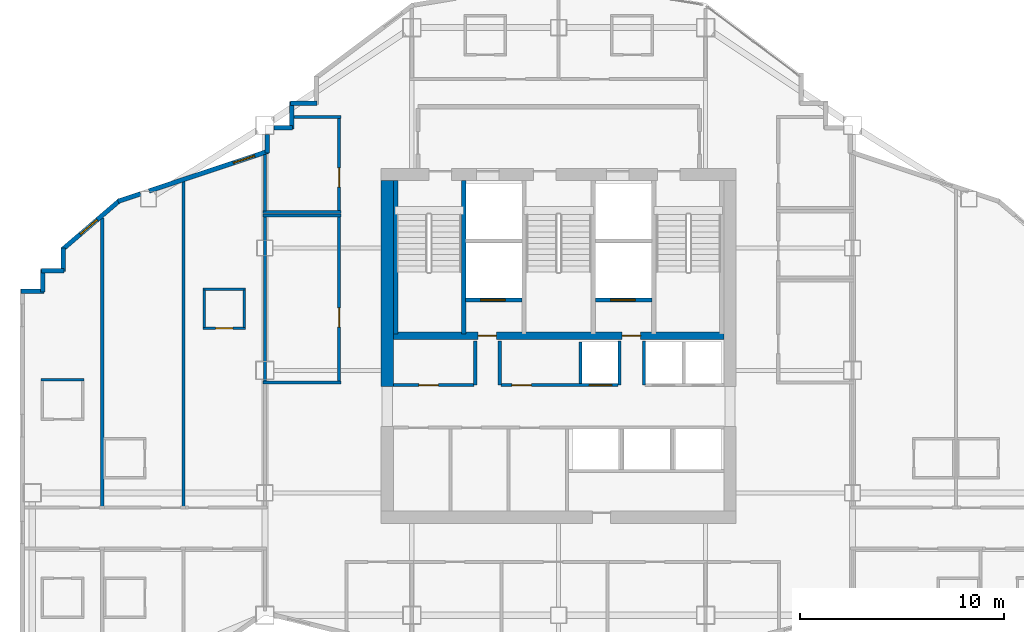
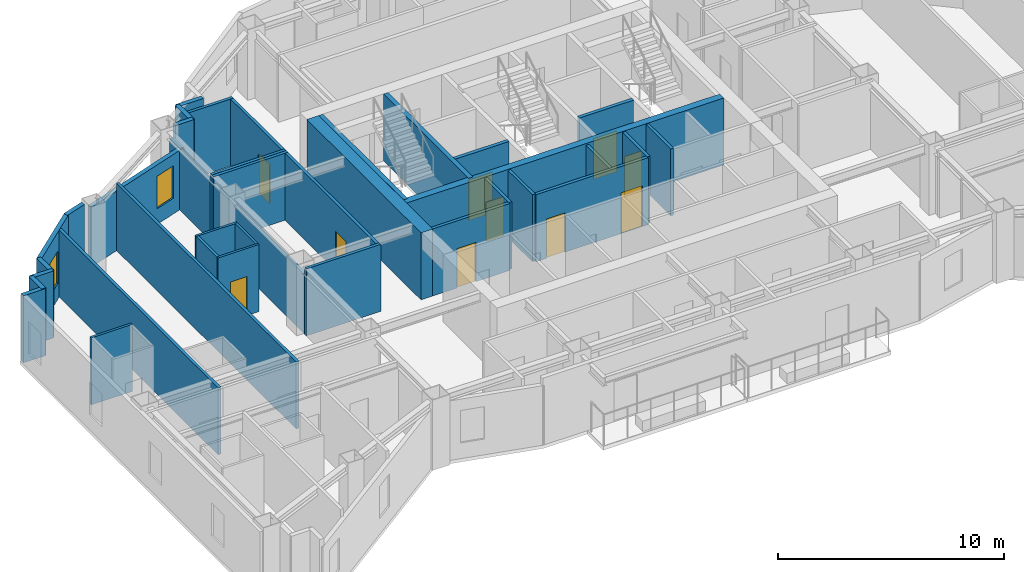
# One storey, part 6 of 11: 39 walls, 10 doors, 2 windows, 12 openings.
"""IFC4 building model written with IfcOpenShell, lengths in metres."""

from ifc_helpers import new_model, si_unit, direction, frame, frame_2d, origin, place, context, subcontext, project, spatial, rectangle, extrude, material, layer, layer_set, type_object, element, fill, save


model = new_model("IFC4")

# Units and contexts
model_context = context("Model", 3, precision=1e-05, world=origin(), true_north=direction((0.0, 1.0)))
body_context = subcontext(model_context, "Body", "Model", "MODEL_VIEW")
ifc_project = project(units=[si_unit("LENGTHUNIT", "METRE"), si_unit("AREAUNIT", "SQUARE_METRE"), si_unit("VOLUMEUNIT", "CUBIC_METRE"), si_unit("PLANEANGLEUNIT", "RADIAN"), si_unit("MASSUNIT", "GRAM", prefix="KILO")], contexts=[model_context])

# Site, building, storey
site_placement = place(None, origin())
site = spatial("IfcSite", under=ifc_project, at=site_placement, CompositionType="ELEMENT")
building_placement = place(site_placement, origin())
building = spatial("IfcBuilding", under=site, at=building_placement, Name="Haolan Belvedere Tower", CompositionType="ELEMENT")
storey_placement = place(building_placement, frame((0.0, 0.0, 215.39990234375)))
storey = spatial("IfcBuildingStorey", under=building, at=storey_placement, Name="L54", CompositionType="ELEMENT", Elevation=215.39990234375)

# Walls
ifc_material_1 = material(Name="Concrete C60/75", Category="concrete")
ifc_layer_1 = layer(ifc_material_1, 0.60009765625, Name="Concrete C60/75")
ifc_layer_set_1 = layer_set([ifc_layer_1], Name="Concrete C60/75")
wall_type_1 = type_object("IfcWallType", Name="WL-CORE-600", PredefinedType="SHEAR", material=ifc_layer_set_1)
wall_1_placement = place(storey_placement, frame((30.0, 32.800048828125, 0.0), z_axis=(0.0, 0.0, 1.0), x_axis=(0.0, 1.0, 0.0)))
element("IfcWall", 1, at=wall_1_placement, inside=storey, type_object=wall_type_1, Name="L54 central core shear wall WN", PredefinedType="SHEAR", context=body_context, shape_type="SweptSolid", body=[
    extrude(rectangle(XDim=10.099853515625, YDim=0.60009765625, at=frame_2d((5.0498046875, 0.0))), origin(), (0.0, 0.0, 1.0), 3.6201171875),
])
ifc_material_2 = material(Name="Precast concrete C40/50", Category="concrete")
ifc_layer_2 = layer(ifc_material_2, 0.219970703125, Name="Precast concrete C40/50")
ifc_layer_set_2 = layer_set([ifc_layer_2], Name="Precast concrete C40/50")
wall_type_2 = type_object("IfcWallType", Name="WL-EXT-220", PredefinedType="SOLIDWALL", material=ifc_layer_set_2)
for number, where, z_axis, x_axis, name in (
    (2, (26.56494140625, 46.68994140625, 0.0), (0.0, 0.0, 1.0), (-1.0, 0.0, 0.0), "L54 pale-metal exterior spandrel wall 25.1"),
    (3, (25.31005859375, 46.7451171875, 0.0), (0.0, 0.0, 1.0), (0.0, -1.0, 0.0), "L54 pale-metal exterior spandrel wall 26.1"),
):
    element("IfcWall", number, at=place(storey_placement, frame(where, z_axis=z_axis, x_axis=x_axis)), inside=storey, type_object=wall_type_2, Name=name, PredefinedType="SOLIDWALL", context=body_context, shape_type="SweptSolid", body=[
        extrude(rectangle(XDim=1.31005859375, YDim=0.219970703125, at=frame_2d((0.655029296875, 0.0))), origin(), (0.0, 0.0, 1.0), 3.6201171875),
    ])
wall_2_placement = place(storey_placement, frame((25.364990234375, 45.489990234375, 0.0), z_axis=(0.0, 0.0, 1.0), x_axis=(-1.0, 0.0, 0.0)))
element("IfcWall", 4, at=wall_2_placement, inside=storey, type_object=wall_type_2, Name="L54 pale-metal exterior spandrel wall 27.1", PredefinedType="SOLIDWALL", context=body_context, shape_type="SweptSolid", body=[
    extrude(rectangle(XDim=0.923095703125, YDim=0.219970703125, at=frame_2d((0.46142578125, 0.0))), origin(), (0.0, 0.0, 1.0), 3.6201171875),
])
wall_3_placement = place(storey_placement, frame((24.110107421875, 45.157958984375, 0.0), z_axis=(0.0, 0.0, 1.0), x_axis=(0.0, -1.0, 0.0)))
element("IfcWall", 5, at=wall_3_placement, inside=storey, type_object=wall_type_2, Name="L54 pale-metal exterior spandrel wall 28.1", PredefinedType="SOLIDWALL", context=body_context, shape_type="SweptSolid", body=[
    extrude(rectangle(XDim=0.892333984375, YDim=0.219970703125, at=frame_2d((0.4462890625, 0.0))), origin(), (0.0, 0.0, 1.0), 3.215087890625),
])

# Wall, opening, window
wall_4_placement = place(storey_placement, frame((24.162109375, 44.338134765625, 0.0), z_axis=(0.0, 0.0, 1.0), x_axis=(-0.948687265055, -0.316215864755, 0.0)))
wall_4 = element("IfcWall", 6, at=wall_4_placement, inside=storey, type_object=wall_type_2, Name="L54 pale-metal exterior spandrel wall 29.1", PredefinedType="SOLIDWALL", context=body_context, shape_type="SweptSolid", body=[
    extrude(rectangle(XDim=6.154052734375, YDim=0.219970703125, at=frame_2d((3.0771484375, 0.0))), origin(), (0.0, 0.0, 1.0), 3.215087890625),
])
opening_1_placement = place(wall_4_placement, frame((0.699951171875, 0.0, 0.85009765625)))
opening_1 = element("IfcOpeningElement", 7, at=opening_1_placement, cuts=wall_4, Name="Opening W-03", PredefinedType="OPENING", context=body_context, shape_type="SweptSolid", body=[
    extrude(rectangle(XDim=1.10009765625, YDim=1.75, at=frame_2d((0.550048828125, 0.875))), frame((0.0, 0.119873046875, 0.0), z_axis=(0.0, -1.0, 0.0), x_axis=(1.0, 0.0, 0.0)), (0.0, 0.0, 1.0), 0.239990234375),
])
ifc_material_3 = material(Name="Anodised aluminium 6063-T6 and Low-E glass", Category="aluminium")
window_type = type_object("IfcWindowType", Name="WN-DECO-Z3", PartitioningType="SINGLE_PANEL", PredefinedType="WINDOW", material=ifc_material_3)
window_1_placement = place(opening_1_placement, origin())
window_1 = element("IfcWindow", 8, at=window_1_placement, inside=storey, type_object=window_type, Name="L54 Art Deco chevron window 1", OverallHeight=1.75, OverallWidth=1.10009765625, PartitioningType="SINGLE_PANEL", PredefinedType="WINDOW", context=body_context, shape_type="SweptSolid", body=[
    extrude(rectangle(XDim=1.10009765625, YDim=1.75, at=frame_2d((0.550048828125, 0.875))), frame((0.0, 0.030029296875, 0.0), z_axis=(0.0, -1.0, 0.0), x_axis=(1.0, 0.0, 0.0)), (0.0, 0.0, 1.0), 0.06005859375),
])
fill(opening_1, window_1)

# Wall
wall_5_placement = place(storey_placement, frame((17.907958984375, 42.25341796875, 0.0), z_axis=(0.0, 0.0, 1.0), x_axis=(-0.948662335685, -0.316290646166, 0.0)))
element("IfcWall", 9, at=wall_5_placement, inside=storey, type_object=wall_type_2, Name="L54 pale-metal exterior spandrel wall 29.2", PredefinedType="SOLIDWALL", context=body_context, shape_type="SweptSolid", body=[
    extrude(rectangle(XDim=1.164794921875, YDim=0.219970703125, at=frame_2d((0.58251953125, 0.0))), origin(), (0.0, 0.0, 1.0), 3.6201171875),
])

# Wall, opening, window
wall_6_placement = place(storey_placement, frame((16.89697265625, 41.938232421875, 0.0), z_axis=(0.0, 0.0, 1.0), x_axis=(-0.759279729622, -0.650764390686, 0.0)))
wall_6 = element("IfcWall", 10, at=wall_6_placement, inside=storey, type_object=wall_type_2, Name="L54 pale-metal exterior spandrel wall 30.1", PredefinedType="SOLIDWALL", context=body_context, shape_type="SweptSolid", body=[
    extrude(rectangle(XDim=3.725830078125, YDim=0.219970703125, at=frame_2d((1.86279296875, 0.0))), origin(), (0.0, 0.0, 1.0), 3.6201171875),
])
opening_2_placement = place(wall_6_placement, frame((1.46435546875, 0.0, 0.85009765625)))
opening_2 = element("IfcOpeningElement", 11, at=opening_2_placement, cuts=wall_6, Name="Opening W-03", PredefinedType="OPENING", context=body_context, shape_type="SweptSolid", body=[
    extrude(rectangle(XDim=1.10009765625, YDim=1.75, at=frame_2d((0.550048828125, 0.875))), frame((0.0, 0.119873046875, 0.0), z_axis=(0.0, -1.0, 0.0), x_axis=(1.0, 0.0, 0.0)), (0.0, 0.0, 1.0), 0.239990234375),
])
window_2_placement = place(opening_2_placement, origin())
window_2 = element("IfcWindow", 12, at=window_2_placement, inside=storey, type_object=window_type, Name="L54 Art Deco chevron window 1", OverallHeight=1.75, OverallWidth=1.10009765625, PartitioningType="SINGLE_PANEL", PredefinedType="WINDOW", context=body_context, shape_type="SweptSolid", body=[
    extrude(rectangle(XDim=1.10009765625, YDim=1.75, at=frame_2d((0.550048828125, 0.875))), frame((0.0, 0.030029296875, 0.0), z_axis=(0.0, -1.0, 0.0), x_axis=(1.0, 0.0, 0.0)), (0.0, 0.0, 1.0), 0.06005859375),
])
fill(opening_2, window_2)

# Walls
wall_7_placement = place(storey_placement, frame((14.110107421875, 39.6044921875, 0.0), z_axis=(0.0, 0.0, 1.0), x_axis=(0.0, -1.0, 0.0)))
element("IfcWall", 13, at=wall_7_placement, inside=storey, type_object=wall_type_2, Name="L54 pale-metal exterior spandrel wall 31.1", PredefinedType="SOLIDWALL", context=body_context, shape_type="SweptSolid", body=[
    extrude(rectangle(XDim=1.16943359375, YDim=0.219970703125, at=frame_2d((0.584716796875, 0.0))), origin(), (0.0, 0.0, 1.0), 3.6201171875),
])
wall_8_placement = place(storey_placement, frame((14.1650390625, 38.489990234375, 0.0), z_axis=(0.0, 0.0, 1.0), x_axis=(-1.0, 0.0, 0.0)))
element("IfcWall", 14, at=wall_8_placement, inside=storey, type_object=wall_type_2, Name="L54 pale-metal exterior spandrel wall 32.1", PredefinedType="SOLIDWALL", context=body_context, shape_type="SweptSolid", body=[
    extrude(rectangle(XDim=1.110107421875, YDim=0.219970703125, at=frame_2d((0.55517578125, 0.0))), origin(), (0.0, 0.0, 1.0), 3.6201171875),
])
wall_9_placement = place(storey_placement, frame((13.110107421875, 38.544921875, 0.0), z_axis=(0.0, 0.0, 1.0), x_axis=(0.0, -1.0, 0.0)))
element("IfcWall", 15, at=wall_9_placement, inside=storey, type_object=wall_type_2, Name="L54 pale-metal exterior spandrel wall 33.1", PredefinedType="SOLIDWALL", context=body_context, shape_type="SweptSolid", body=[
    extrude(rectangle(XDim=1.10986328125, YDim=0.219970703125, at=frame_2d((0.554931640625, 0.0))), origin(), (0.0, 0.0, 1.0), 3.6201171875),
])
wall_10_placement = place(storey_placement, frame((13.1650390625, 37.489990234375, 0.0), z_axis=(0.0, 0.0, 1.0), x_axis=(-1.0, 0.0, 0.0)))
element("IfcWall", 16, at=wall_10_placement, inside=storey, type_object=wall_type_2, Name="L54 pale-metal exterior spandrel wall 34.1", PredefinedType="SOLIDWALL", context=body_context, shape_type="SweptSolid", body=[
    extrude(rectangle(XDim=1.110107421875, YDim=0.219970703125, at=frame_2d((0.55517578125, 0.0))), origin(), (0.0, 0.0, 1.0), 3.6201171875),
])
ifc_material_4 = material(Name="Double gypsum acoustic stud partition", Category="masonry")
ifc_layer_3 = layer(ifc_material_4, 0.14990234375, Name="Double gypsum acoustic stud partition")
ifc_layer_set_3 = layer_set([ifc_layer_3], Name="Double gypsum acoustic stud partition")
wall_type_3 = type_object("IfcWallType", Name="WL-PART-150", PredefinedType="PARTITIONING", material=ifc_layer_set_3)
for number, where, z_axis, x_axis, name in (
    (17, (23.919921875, 41.199951171875, 0.0), (0.0, 0.0, 1.0), (1.0, 0.0, 0.0), "L54 interior partition IW-L54-SAL-N"),
    (18, (23.919921875, 33.0, 0.0), (0.0, 0.0, 1.0), (1.0, 0.0, 0.0), "L54 interior partition IW-L54-SAL-S"),
):
    element("IfcWall", number, at=place(storey_placement, frame(where, z_axis=z_axis, x_axis=x_axis)), inside=storey, type_object=wall_type_3, Name=name, PredefinedType="PARTITIONING", context=body_context, shape_type="SweptSolid", body=[
        extrude(rectangle(XDim=3.800048828125, YDim=0.14990234375, at=frame_2d((1.89990234375, 0.0))), origin(), (0.0, 0.0, 1.0), 3.6201171875),
    ])
wall_11_placement = place(storey_placement, frame((24.0, 33.06005859375, 0.0), z_axis=(0.0, 0.0, 1.0), x_axis=(0.0, 1.0, 0.0)))
element("IfcWall", 19, at=wall_11_placement, inside=storey, type_object=wall_type_3, Name="L54 interior partition IW-L54-SAL-W", PredefinedType="PARTITIONING", context=body_context, shape_type="SweptSolid", body=[
    extrude(rectangle(XDim=8.079833984375, YDim=0.14990234375, at=frame_2d((4.0400390625, 0.0))), origin(), (0.0, 0.0, 1.0), 3.215087890625),
])

# Wall, opening, door
wall_12_placement = place(storey_placement, frame((27.639892578125, 33.06005859375, 0.0), z_axis=(0.0, 0.0, 1.0), x_axis=(0.0, 1.0, 0.0)))
wall_12 = element("IfcWall", 20, at=wall_12_placement, inside=storey, type_object=wall_type_3, Name="L54 interior partition IW-L54-SAL-E", PredefinedType="PARTITIONING", context=body_context, shape_type="SweptSolid", body=[
    extrude(rectangle(XDim=8.079833984375, YDim=0.14990234375, at=frame_2d((4.0400390625, 0.0))), origin(), (0.0, 0.0, 1.0), 3.6201171875),
])
opening_3_placement = place(wall_12_placement, frame((3.60986328125, 0.0, 0.0), z_axis=(0.0, 0.0, 1.0), x_axis=(-1.0, 0.0, 0.0)))
opening_3 = element("IfcOpeningElement", 21, at=opening_3_placement, cuts=wall_12, Name="Opening ID-03", PredefinedType="OPENING", context=body_context, shape_type="SweptSolid", body=[
    extrude(rectangle(XDim=0.949951171875, YDim=2.1201171875, at=frame_2d((0.47509765625, 1.06005859375))), frame((0.0, 0.0849609375, 0.0), z_axis=(0.0, -1.0, 0.0), x_axis=(1.0, 0.0, 0.0)), (0.0, 0.0, 1.0), 0.169921875),
])
ifc_material_5 = material(Name="Painted solid-core timber", Category="wood")
door_type_1 = type_object("IfcDoorType", Name="DR-INT-950", OperationType="NOTDEFINED", PredefinedType="DOOR", material=ifc_material_5)
door_1_placement = place(opening_3_placement, origin())
door_1 = element("IfcDoor", 22, at=door_1_placement, inside=storey, type_object=door_type_1, Name="L54 door ID-L54-SAL", OperationType="SINGLE_SWING_LEFT", OverallHeight=2.1201171875, OverallWidth=0.949951171875, PredefinedType="DOOR", context=body_context, shape_type="SweptSolid", body=[
    extrude(rectangle(XDim=0.949951171875, YDim=2.1201171875, at=frame_2d((0.47509765625, 1.06005859375))), frame((0.0, 0.02490234375, 0.0), z_axis=(0.0, -1.0, 0.0), x_axis=(1.0, 0.0, 0.0)), (0.0, 0.0, 1.0), 0.050048828125),
])
fill(opening_3, door_1)

# Walls
wall_13_placement = place(storey_placement, frame((25.412109375, 46.02001953125, 0.0), z_axis=(0.0, 0.0, 1.0), x_axis=(1.0, 0.0, 0.0)))
element("IfcWall", 23, at=wall_13_placement, inside=storey, type_object=wall_type_3, Name="L54 interior partition IW-L54-HSK-N", PredefinedType="PARTITIONING", context=body_context, shape_type="SweptSolid", body=[
    extrude(rectangle(XDim=2.307861328125, YDim=0.14990234375, at=frame_2d((1.15380859375, 0.0))), origin(), (0.0, 0.0, 1.0), 3.6201171875),
])
wall_14_placement = place(storey_placement, frame((23.919921875, 41.360107421875, 0.0), z_axis=(0.0, 0.0, 1.0), x_axis=(1.0, 0.0, 0.0)))
element("IfcWall", 24, at=wall_14_placement, inside=storey, type_object=wall_type_3, Name="L54 interior partition IW-L54-HSK-S", PredefinedType="PARTITIONING", context=body_context, shape_type="SweptSolid", body=[
    extrude(rectangle(XDim=3.800048828125, YDim=0.14990234375, at=frame_2d((1.89990234375, 0.0))), origin(), (0.0, 0.0, 1.0), 3.6201171875),
])
wall_15_placement = place(storey_placement, frame((24.0, 41.419921875, 0.0), z_axis=(0.0, 0.0, 1.0), x_axis=(0.0, 1.0, 0.0)))
element("IfcWall", 25, at=wall_15_placement, inside=storey, type_object=wall_type_3, Name="L54 interior partition IW-L54-HSK-W", PredefinedType="PARTITIONING", context=body_context, shape_type="SweptSolid", body=[
    extrude(rectangle(XDim=2.756591796875, YDim=0.14990234375, at=frame_2d((1.37841796875, 0.0))), origin(), (0.0, 0.0, 1.0), 3.215087890625),
])

# Wall, opening, door
wall_16_placement = place(storey_placement, frame((27.639892578125, 41.419921875, 0.0), z_axis=(0.0, 0.0, 1.0), x_axis=(0.0, 1.0, 0.0)))
wall_16 = element("IfcWall", 26, at=wall_16_placement, inside=storey, type_object=wall_type_3, Name="L54 interior partition IW-L54-HSK-E", PredefinedType="PARTITIONING", context=body_context, shape_type="SweptSolid", body=[
    extrude(rectangle(XDim=4.5400390625, YDim=0.14990234375, at=frame_2d((2.27001953125, 0.0))), origin(), (0.0, 0.0, 1.0), 3.6201171875),
])
opening_4_placement = place(wall_16_placement, frame((2.10986328125, 0.0, 0.0), z_axis=(0.0, 0.0, 1.0), x_axis=(-1.0, 0.0, 0.0)))
opening_4 = element("IfcOpeningElement", 27, at=opening_4_placement, cuts=wall_16, Name="Opening ID-03", PredefinedType="OPENING", context=body_context, shape_type="SweptSolid", body=[
    extrude(rectangle(XDim=0.949951171875, YDim=2.1201171875, at=frame_2d((0.47509765625, 1.06005859375))), frame((0.0, 0.0849609375, 0.0), z_axis=(0.0, -1.0, 0.0), x_axis=(1.0, 0.0, 0.0)), (0.0, 0.0, 1.0), 0.169921875),
])
door_2_placement = place(opening_4_placement, origin())
door_2 = element("IfcDoor", 28, at=door_2_placement, inside=storey, type_object=door_type_1, Name="L54 door ID-L54-HSK", OperationType="SINGLE_SWING_RIGHT", OverallHeight=2.1201171875, OverallWidth=0.949951171875, PredefinedType="DOOR", context=body_context, shape_type="SweptSolid", body=[
    extrude(rectangle(XDim=0.949951171875, YDim=2.1201171875, at=frame_2d((0.47509765625, 1.06005859375))), frame((0.0, 0.02490234375, 0.0), z_axis=(0.0, -1.0, 0.0), x_axis=(1.0, 0.0, 0.0)), (0.0, 0.0, 1.0), 0.050048828125),
])
fill(opening_4, door_2)

# Walls
wall_17_placement = place(storey_placement, frame((16.030029296875, 26.93994140625, 0.0), z_axis=(0.0, 0.0, 1.0), x_axis=(0.0, 1.0, 0.0)))
element("IfcWall", 29, at=wall_17_placement, inside=storey, type_object=wall_type_3, Name="L54 interior partition IW-L54-T2N1-E", PredefinedType="PARTITIONING", context=body_context, shape_type="SweptSolid", body=[
    extrude(rectangle(XDim=14.120849609375, YDim=0.14990234375, at=frame_2d((7.060546875, 0.0))), origin(), (0.0, 0.0, 1.0), 3.6201171875),
])
wall_18_placement = place(storey_placement, frame((20.02001953125, 26.93994140625, 0.0), z_axis=(0.0, 0.0, 1.0), x_axis=(0.0, 1.0, 0.0)))
element("IfcWall", 30, at=wall_18_placement, inside=storey, type_object=wall_type_3, Name="L54 interior partition IW-L54-T2N2-E", PredefinedType="PARTITIONING", context=body_context, shape_type="SweptSolid", body=[
    extrude(rectangle(XDim=15.909912109375, YDim=0.14990234375, at=frame_2d((7.955078125, 0.0))), origin(), (0.0, 0.0, 1.0), 3.6201171875),
])
ifc_material_6 = material(Name="Gypsum fire shaftwall assembly", Category="masonry")
ifc_layer_4 = layer(ifc_material_6, 0.1650390625, Name="Gypsum fire shaftwall assembly")
ifc_layer_set_4 = layer_set([ifc_layer_4], Name="Gypsum fire shaftwall assembly")
wall_type_4 = type_object("IfcWallType", Name="WL-SHAFT-160", PredefinedType="SOLIDWALL", material=ifc_layer_set_4)
for number, where, z_axis, x_axis, name in (
    (31, (34.31005859375, 32.8798828125, 0.0), (0.0, 0.0, 1.0), (0.0, 1.0, 0.0), "L54 interior partition IW-L54-SVP-W-SV1"),
    (32, (35.510009765625, 32.8798828125, 0.0), (0.0, 0.0, 1.0), (0.0, 1.0, 0.0), "L54 interior partition IW-L54-SVP-E-SV1"),
    (33, (41.3701171875, 32.8798828125, 0.0), (0.0, 0.0, 1.0), (0.0, 1.0, 0.0), "L54 interior partition IW-L54-SVP-W-SV2"),
    (34, (42.570068359375, 32.8798828125, 0.0), (0.0, 0.0, 1.0), (0.0, 1.0, 0.0), "L54 interior partition IW-L54-SVP-E-SV2"),
):
    element("IfcWall", number, at=place(storey_placement, frame(where, z_axis=z_axis, x_axis=x_axis)), inside=storey, type_object=wall_type_4, Name=name, PredefinedType="SOLIDWALL", context=body_context, shape_type="SweptSolid", body=[
        extrude(rectangle(XDim=2.170166015625, YDim=0.14990234375, at=frame_2d((1.0849609375, 0.0))), origin(), (0.0, 0.0, 1.0), 3.6201171875),
    ])

# Wall, opening, door
wall_19_placement = place(storey_placement, frame((30.300048828125, 32.8798828125, 0.0), z_axis=(0.0, 0.0, 1.0), x_axis=(1.0, 0.0, 0.0)))
wall_19 = element("IfcWall", 35, at=wall_19_placement, inside=storey, type_object=wall_type_4, Name="L54 interior partition IW-L54-ROW-PN1", PredefinedType="SOLIDWALL", context=body_context, shape_type="SweptSolid", body=[
    extrude(rectangle(XDim=3.949951171875, YDim=0.159912109375, at=frame_2d((1.97509765625, 0.0))), origin(), (0.0, 0.0, 1.0), 3.6201171875),
])
opening_5_placement = place(wall_19_placement, frame((2.199951171875, 0.0, 0.0), z_axis=(0.0, 0.0, 1.0), x_axis=(-1.0, 0.0, 0.0)))
opening_5 = element("IfcOpeningElement", 36, at=opening_5_placement, cuts=wall_19, Name="Opening ID-03", PredefinedType="OPENING", context=body_context, shape_type="SweptSolid", body=[
    extrude(rectangle(XDim=0.949951171875, YDim=2.1201171875, at=frame_2d((0.47509765625, 1.06005859375))), frame((0.0, 0.08984375, 0.0), z_axis=(0.0, -1.0, 0.0), x_axis=(1.0, 0.0, 0.0)), (0.0, 0.0, 1.0), 0.179931640625),
])
door_3_placement = place(opening_5_placement, origin())
door_3 = element("IfcDoor", 37, at=door_3_placement, inside=storey, type_object=door_type_1, Name="L54 door ID-L54-CD-RPLW", OperationType="SINGLE_SWING_LEFT", OverallHeight=2.1201171875, OverallWidth=0.949951171875, PredefinedType="DOOR", context=body_context, shape_type="SweptSolid", body=[
    extrude(rectangle(XDim=0.949951171875, YDim=2.1201171875, at=frame_2d((0.47509765625, 1.06005859375))), frame((0.0, 0.02490234375, 0.0), z_axis=(0.0, -1.0, 0.0), x_axis=(1.0, 0.0, 0.0)), (0.0, 0.0, 1.0), 0.050048828125),
])
fill(opening_5, door_3)

# Wall, openings, doors
wall_20_placement = place(storey_placement, frame((35.570068359375, 32.8798828125, 0.0), z_axis=(0.0, 0.0, 1.0), x_axis=(1.0, 0.0, 0.0)))
wall_20 = element("IfcWall", 38, at=wall_20_placement, inside=storey, type_object=wall_type_4, Name="L54 interior partition IW-L54-ROW-PN2", PredefinedType="SOLIDWALL", context=body_context, shape_type="SweptSolid", body=[
    extrude(rectangle(XDim=5.739990234375, YDim=0.159912109375, at=frame_2d((2.8701171875, 0.0))), origin(), (0.0, 0.0, 1.0), 3.6201171875),
])
opening_6_placement = place(wall_20_placement, frame((1.489990234375, 0.0, 0.0), z_axis=(0.0, 0.0, 1.0), x_axis=(-1.0, 0.0, 0.0)))
opening_6 = element("IfcOpeningElement", 39, at=opening_6_placement, cuts=wall_20, Name="Opening ID-03", PredefinedType="OPENING", context=body_context, shape_type="SweptSolid", body=[
    extrude(rectangle(XDim=0.949951171875, YDim=2.1201171875, at=frame_2d((0.47509765625, 1.06005859375))), frame((0.0, 0.08984375, 0.0), z_axis=(0.0, -1.0, 0.0), x_axis=(1.0, 0.0, 0.0)), (0.0, 0.0, 1.0), 0.179931640625),
])
opening_7_placement = place(wall_20_placement, frame((5.43017578125, 0.0, 0.0), z_axis=(0.0, 0.0, 1.0), x_axis=(-1.0, 0.0, 0.0)))
opening_7 = element("IfcOpeningElement", 40, at=opening_7_placement, cuts=wall_20, Name="Opening LD-01", PredefinedType="OPENING", context=body_context, shape_type="SweptSolid", body=[
    extrude(rectangle(XDim=1.10009765625, YDim=2.199951171875, at=frame_2d((0.550048828125, 1.10009765625))), frame((0.0, 0.08984375, 0.0), z_axis=(0.0, -1.0, 0.0), x_axis=(1.0, 0.0, 0.0)), (0.0, 0.0, 1.0), 0.179931640625),
])
door_4_placement = place(opening_6_placement, origin())
door_4 = element("IfcDoor", 41, at=door_4_placement, inside=storey, type_object=door_type_1, Name="L54 door ID-L54-CD-RPLE", OperationType="SINGLE_SWING_RIGHT", OverallHeight=2.1201171875, OverallWidth=0.949951171875, PredefinedType="DOOR", context=body_context, shape_type="SweptSolid", body=[
    extrude(rectangle(XDim=0.949951171875, YDim=2.1201171875, at=frame_2d((0.47509765625, 1.06005859375))), frame((0.0, 0.02490234375, 0.0), z_axis=(0.0, -1.0, 0.0), x_axis=(1.0, 0.0, 0.0)), (0.0, 0.0, 1.0), 0.050048828125),
])
fill(opening_6, door_4)
ifc_material_7 = material(Name="Brushed champagne stainless steel 316L", Category="steel")
door_type_2 = type_object("IfcDoorType", Name="DR-LIFT-1100", OperationType="SLIDING_TO_LEFT", PredefinedType="DOOR", material=ifc_material_7)
door_5_placement = place(opening_7_placement, origin())
door_5 = element("IfcDoor", 42, at=door_5_placement, inside=storey, type_object=door_type_2, Name="L54 door ID-L54-LD-PH1", OperationType="SLIDING_TO_RIGHT", OverallHeight=2.199951171875, OverallWidth=1.10009765625, PredefinedType="DOOR", context=body_context, shape_type="SweptSolid", body=[
    extrude(rectangle(XDim=1.10009765625, YDim=2.199951171875, at=frame_2d((0.550048828125, 1.10009765625))), frame((0.0, 0.02490234375, 0.0), z_axis=(0.0, -1.0, 0.0), x_axis=(1.0, 0.0, 0.0)), (0.0, 0.0, 1.0), 0.050048828125),
])
fill(opening_7, door_5)

# Wall
wall_21_placement = place(storey_placement, frame((39.469970703125, 32.949951171875, 0.0), z_axis=(0.0, 0.0, 1.0), x_axis=(0.0, 1.0, 0.0)))
element("IfcWall", 43, at=wall_21_placement, inside=storey, type_object=wall_type_4, Name="L54 interior partition IW-L54-DIV-PL4R", PredefinedType="SOLIDWALL", context=body_context, shape_type="SweptSolid", body=[
    extrude(rectangle(XDim=2.050048828125, YDim=0.14990234375, at=frame_2d((1.02490234375, 0.0))), origin(), (0.0, 0.0, 1.0), 3.6201171875),
])

# Wall, opening, door
ifc_layer_5 = layer(ifc_material_2, 0.179931640625, Name="Precast concrete C40/50")
ifc_layer_set_5 = layer_set([ifc_layer_5], Name="Precast concrete C40/50")
wall_type_5 = type_object("IfcWallType", Name="WL-SHAFT-180", PredefinedType="SOLIDWALL", material=ifc_layer_set_5)
wall_22_placement = place(storey_placement, frame((33.8349609375, 37.050048828125, 0.0), z_axis=(0.0, 0.0, 1.0), x_axis=(1.0, 0.0, 0.0)))
wall_22 = element("IfcWall", 44, at=wall_22_placement, inside=storey, type_object=wall_type_5, Name="L54 interior partition IW-L54-SV1-S", PredefinedType="SOLIDWALL", context=body_context, shape_type="SweptSolid", body=[
    extrude(rectangle(XDim=2.77001953125, YDim=0.179931640625, at=frame_2d((1.385009765625, 0.0))), origin(), (0.0, 0.0, 1.0), 3.6201171875),
])
opening_8_placement = place(wall_22_placement, frame((1.945068359375, 0.0, 0.0), z_axis=(0.0, 0.0, 1.0), x_axis=(-1.0, 0.0, 0.0)))
opening_8 = element("IfcOpeningElement", 45, at=opening_8_placement, cuts=wall_22, Name="Opening LD-02", PredefinedType="OPENING", context=body_context, shape_type="SweptSolid", body=[
    extrude(rectangle(XDim=1.199951171875, YDim=2.199951171875, at=frame_2d((0.60009765625, 1.10009765625))), frame((0.0, 0.099853515625, 0.0), z_axis=(0.0, -1.0, 0.0), x_axis=(1.0, 0.0, 0.0)), (0.0, 0.0, 1.0), 0.199951171875),
])
door_type_3 = type_object("IfcDoorType", Name="DR-LIFT-1200", OperationType="SLIDING_TO_RIGHT", PredefinedType="DOOR", material=ifc_material_7)
door_6_placement = place(opening_8_placement, origin())
door_6 = element("IfcDoor", 46, at=door_6_placement, inside=storey, type_object=door_type_3, Name="L54 door ID-L54-LD-SV1", OperationType="SLIDING_TO_RIGHT", OverallHeight=2.199951171875, OverallWidth=1.199951171875, PredefinedType="DOOR", context=body_context, shape_type="SweptSolid", body=[
    extrude(rectangle(XDim=1.199951171875, YDim=2.199951171875, at=frame_2d((0.60009765625, 1.10009765625))), frame((0.0, 0.02490234375, 0.0), z_axis=(0.0, -1.0, 0.0), x_axis=(1.0, 0.0, 0.0)), (0.0, 0.0, 1.0), 0.050048828125),
])
fill(opening_8, door_6)

wall_23_placement = place(storey_placement, frame((40.195068359375, 37.050048828125, 0.0), z_axis=(0.0, 0.0, 1.0), x_axis=(1.0, 0.0, 0.0)))
wall_23 = element("IfcWall", 47, at=wall_23_placement, inside=storey, type_object=wall_type_5, Name="L54 interior partition IW-L54-SV2-S", PredefinedType="SOLIDWALL", context=body_context, shape_type="SweptSolid", body=[
    extrude(rectangle(XDim=2.77001953125, YDim=0.179931640625, at=frame_2d((1.385009765625, 0.0))), origin(), (0.0, 0.0, 1.0), 3.6201171875),
])
opening_9_placement = place(wall_23_placement, frame((1.945068359375, 0.0, 0.0), z_axis=(0.0, 0.0, 1.0), x_axis=(-1.0, 0.0, 0.0)))
opening_9 = element("IfcOpeningElement", 48, at=opening_9_placement, cuts=wall_23, Name="Opening LD-02", PredefinedType="OPENING", context=body_context, shape_type="SweptSolid", body=[
    extrude(rectangle(XDim=1.199951171875, YDim=2.199951171875, at=frame_2d((0.60009765625, 1.10009765625))), frame((0.0, 0.099853515625, 0.0), z_axis=(0.0, -1.0, 0.0), x_axis=(1.0, 0.0, 0.0)), (0.0, 0.0, 1.0), 0.199951171875),
])
door_7_placement = place(opening_9_placement, origin())
door_7 = element("IfcDoor", 49, at=door_7_placement, inside=storey, type_object=door_type_3, Name="L54 door ID-L54-LD-SV2", OperationType="SLIDING_TO_RIGHT", OverallHeight=2.199951171875, OverallWidth=1.199951171875, PredefinedType="DOOR", context=body_context, shape_type="SweptSolid", body=[
    extrude(rectangle(XDim=1.199951171875, YDim=2.199951171875, at=frame_2d((0.60009765625, 1.10009765625))), frame((0.0, 0.02490234375, 0.0), z_axis=(0.0, -1.0, 0.0), x_axis=(1.0, 0.0, 0.0)), (0.0, 0.0, 1.0), 0.050048828125),
])
fill(opening_9, door_7)

# Walls
ifc_material_8 = material(Name="Concrete C50/60", Category="concrete")
ifc_layer_6 = layer(ifc_material_8, 0.219970703125, Name="Concrete C50/60")
ifc_layer_set_6 = layer_set([ifc_layer_6], Name="Concrete C50/60")
wall_type_6 = type_object("IfcWallType", Name="WL-STAIR-220", PredefinedType="SHEAR", material=ifc_layer_set_6)
for number, where, z_axis, x_axis, name in (
    (50, (30.412109375, 35.389892578125, 0.0), (0.0, 0.0, 1.0), (0.0, 1.0, 0.0), "L54 structural stair core wall ST1W"),
    (51, (33.739990234375, 35.389892578125, 0.0), (0.0, 0.0, 1.0), (0.0, 1.0, 0.0), "L54 structural stair core wall ST1E"),
):
    element("IfcWall", number, at=place(storey_placement, frame(where, z_axis=z_axis, x_axis=x_axis)), inside=storey, type_object=wall_type_6, Name=name, PredefinedType="SHEAR", context=body_context, shape_type="SweptSolid", body=[
        extrude(rectangle(XDim=7.510009765625, YDim=0.219970703125, at=frame_2d((3.7548828125, 0.0))), origin(), (0.0, 0.0, 1.0), 3.6201171875),
    ])

# Wall, openings, doors
ifc_layer_7 = layer(ifc_material_1, 0.360107421875, Name="Concrete C60/75")
ifc_layer_set_7 = layer_set([ifc_layer_7], Name="Concrete C60/75")
wall_type_7 = type_object("IfcWallType", Name="WL-WEB-350", PredefinedType="SHEAR", material=ifc_layer_set_7)
wall_24_placement = place(storey_placement, frame((30.300048828125, 35.2900390625, 0.0), z_axis=(0.0, 0.0, 1.0), x_axis=(1.0, 0.0, 0.0)))
wall_24 = element("IfcWall", 52, at=wall_24_placement, inside=storey, type_object=wall_type_7, Name="L54 central core internal shear web", PredefinedType="SHEAR", context=body_context, shape_type="SweptSolid", body=[
    extrude(rectangle(XDim=16.199951171875, YDim=0.360107421875, at=frame_2d((8.10009765625, 0.0))), origin(), (0.0, 0.0, 1.0), 3.6201171875),
])
opening_10_placement = place(wall_24_placement, frame((5.0498046875, 0.0, 0.0), z_axis=(0.0, 0.0, 1.0), x_axis=(-1.0, 0.0, 0.0)))
opening_10 = element("IfcOpeningElement", 53, at=opening_10_placement, cuts=wall_24, Name="Opening FD-05", PredefinedType="OPENING", context=body_context, shape_type="SweptSolid", body=[
    extrude(rectangle(XDim=0.89990234375, YDim=2.10009765625, at=frame_2d((0.449951171875, 1.050048828125))), frame((0.0, 0.18994140625, 0.0), z_axis=(0.0, -1.0, 0.0), x_axis=(1.0, 0.0, 0.0)), (0.0, 0.0, 1.0), 0.380126953125),
])
opening_11_placement = place(wall_24_placement, frame((12.10986328125, 0.0, 0.0), z_axis=(0.0, 0.0, 1.0), x_axis=(-1.0, 0.0, 0.0)))
opening_11 = element("IfcOpeningElement", 54, at=opening_11_placement, cuts=wall_24, Name="Opening FD-05", PredefinedType="OPENING", context=body_context, shape_type="SweptSolid", body=[
    extrude(rectangle(XDim=0.89990234375, YDim=2.10009765625, at=frame_2d((0.449951171875, 1.050048828125))), frame((0.0, 0.18994140625, 0.0), z_axis=(0.0, -1.0, 0.0), x_axis=(1.0, 0.0, 0.0)), (0.0, 0.0, 1.0), 0.380126953125),
])
ifc_material_9 = material(Name="Galvanised fire-rated steel", Category="steel")
door_type_4 = type_object("IfcDoorType", Name="DR-FD60-900", OperationType="NOTDEFINED", PredefinedType="DOOR", material=ifc_material_9)
door_8_placement = place(opening_10_placement, origin())
door_8 = element("IfcDoor", 55, at=door_8_placement, inside=storey, type_object=door_type_4, Name="L54 door CD-L54-SVL-SV1", OperationType="SINGLE_SWING_RIGHT", OverallHeight=2.10009765625, OverallWidth=0.89990234375, PredefinedType="DOOR", context=body_context, shape_type="SweptSolid", body=[
    extrude(rectangle(XDim=0.89990234375, YDim=2.10009765625, at=frame_2d((0.449951171875, 1.050048828125))), frame((0.0, 0.02490234375, 0.0), z_axis=(0.0, -1.0, 0.0), x_axis=(1.0, 0.0, 0.0)), (0.0, 0.0, 1.0), 0.050048828125),
])
fill(opening_10, door_8)
door_9_placement = place(opening_11_placement, origin())
door_9 = element("IfcDoor", 56, at=door_9_placement, inside=storey, type_object=door_type_4, Name="L54 door CD-L54-SVL-SV2", OperationType="SINGLE_SWING_RIGHT", OverallHeight=2.10009765625, OverallWidth=0.89990234375, PredefinedType="DOOR", context=body_context, shape_type="SweptSolid", body=[
    extrude(rectangle(XDim=0.89990234375, YDim=2.10009765625, at=frame_2d((0.449951171875, 1.050048828125))), frame((0.0, 0.02490234375, 0.0), z_axis=(0.0, -1.0, 0.0), x_axis=(1.0, 0.0, 0.0)), (0.0, 0.0, 1.0), 0.050048828125),
])
fill(opening_11, door_9)

# Walls
ifc_material_10 = material(Name="Moisture-resistant gypsum tile partition", Category="masonry")
ifc_layer_8 = layer(ifc_material_10, 0.1201171875, Name="Moisture-resistant gypsum tile partition")
ifc_layer_set_8 = layer_set([ifc_layer_8], Name="Moisture-resistant gypsum tile partition")
wall_type_8 = type_object("IfcWallType", Name="WL-WET-120", PredefinedType="PARTITIONING", material=ifc_layer_set_8)
wall_25_placement = place(storey_placement, frame((13.030029296875, 33.135009765625, 0.0), z_axis=(0.0, 0.0, 1.0), x_axis=(1.0, 0.0, 0.0)))
element("IfcWall", 57, at=wall_25_placement, inside=storey, type_object=wall_type_8, Name="L54 interior partition IW-L54-T2N1-BN", PredefinedType="PARTITIONING", context=body_context, shape_type="SweptSolid", body=[
    extrude(rectangle(XDim=2.099853515625, YDim=0.1201171875, at=frame_2d((1.0498046875, 0.0))), origin(), (0.0, 0.0, 1.0), 3.6201171875),
])
wall_26_placement = place(storey_placement, frame((20.9599609375, 37.5849609375, 0.0), z_axis=(0.0, 0.0, 1.0), x_axis=(1.0, 0.0, 0.0)))
element("IfcWall", 58, at=wall_26_placement, inside=storey, type_object=wall_type_8, Name="L54 interior partition IW-L54-T2N3-BN", PredefinedType="PARTITIONING", context=body_context, shape_type="SweptSolid", body=[
    extrude(rectangle(XDim=2.10009765625, YDim=0.1201171875, at=frame_2d((1.050048828125, 0.0))), origin(), (0.0, 0.0, 1.0), 3.6201171875),
])

# Wall, opening, door
wall_27_placement = place(storey_placement, frame((20.9599609375, 35.6650390625, 0.0), z_axis=(0.0, 0.0, 1.0), x_axis=(1.0, 0.0, 0.0)))
wall_27 = element("IfcWall", 59, at=wall_27_placement, inside=storey, type_object=wall_type_8, Name="L54 interior partition IW-L54-T2N3-BS", PredefinedType="PARTITIONING", context=body_context, shape_type="SweptSolid", body=[
    extrude(rectangle(XDim=2.10009765625, YDim=0.1201171875, at=frame_2d((1.050048828125, 0.0))), origin(), (0.0, 0.0, 1.0), 3.6201171875),
])
opening_12_placement = place(wall_27_placement, frame((0.625, 0.0, 0.0)))
opening_12 = element("IfcOpeningElement", 60, at=opening_12_placement, cuts=wall_27, Name="Opening ID-05", PredefinedType="OPENING", context=body_context, shape_type="SweptSolid", body=[
    extrude(rectangle(XDim=0.85009765625, YDim=2.10009765625, at=frame_2d((0.425048828125, 1.050048828125))), frame((0.0, 0.070068359375, 0.0), z_axis=(0.0, -1.0, 0.0), x_axis=(1.0, 0.0, 0.0)), (0.0, 0.0, 1.0), 0.14013671875),
])
ifc_material_11 = material(Name="Moisture-resistant lacquered timber", Category="wood")
door_type_5 = type_object("IfcDoorType", Name="DR-BATH-850", OperationType="NOTDEFINED", PredefinedType="DOOR", material=ifc_material_11)
door_10_placement = place(opening_12_placement, origin())
door_10 = element("IfcDoor", 61, at=door_10_placement, inside=storey, type_object=door_type_5, Name="L54 door ID-L54-T2N3-BATH", OperationType="SINGLE_SWING_RIGHT", OverallHeight=2.10009765625, OverallWidth=0.85009765625, PredefinedType="DOOR", context=body_context, shape_type="SweptSolid", body=[
    extrude(rectangle(XDim=0.85009765625, YDim=2.10009765625, at=frame_2d((0.425048828125, 1.050048828125))), frame((0.0, 0.02490234375, 0.0), z_axis=(0.0, -1.0, 0.0), x_axis=(1.0, 0.0, 0.0)), (0.0, 0.0, 1.0), 0.050048828125),
])
fill(opening_12, door_10)

# Walls
for number, where, z_axis, x_axis, name in (
    (62, (21.02001953125, 35.7099609375, 0.0), (0.0, 0.0, 1.0), (0.0, 1.0, 0.0), "L54 interior partition IW-L54-T2N3-BW"),
    (63, (23.0, 35.7099609375, 0.0), (0.0, 0.0, 1.0), (0.0, 1.0, 0.0), "L54 interior partition IW-L54-T2N3-BE"),
):
    element("IfcWall", number, at=place(storey_placement, frame(where, z_axis=z_axis, x_axis=x_axis)), inside=storey, type_object=wall_type_8, Name=name, PredefinedType="PARTITIONING", context=body_context, shape_type="SweptSolid", body=[
        extrude(rectangle(XDim=1.830078125, YDim=0.1201171875, at=frame_2d((0.9150390625, 0.0))), origin(), (0.0, 0.0, 1.0), 3.6201171875),
    ])

save(model, "model.ifc")
